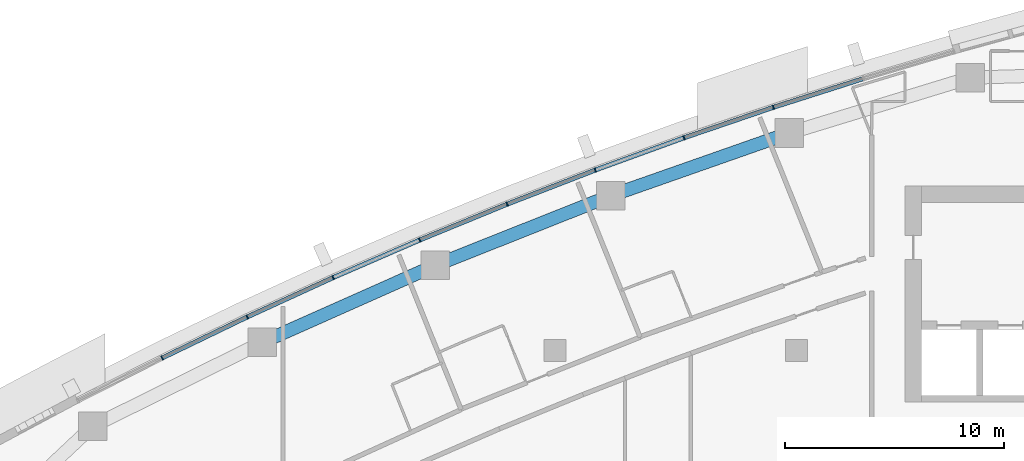
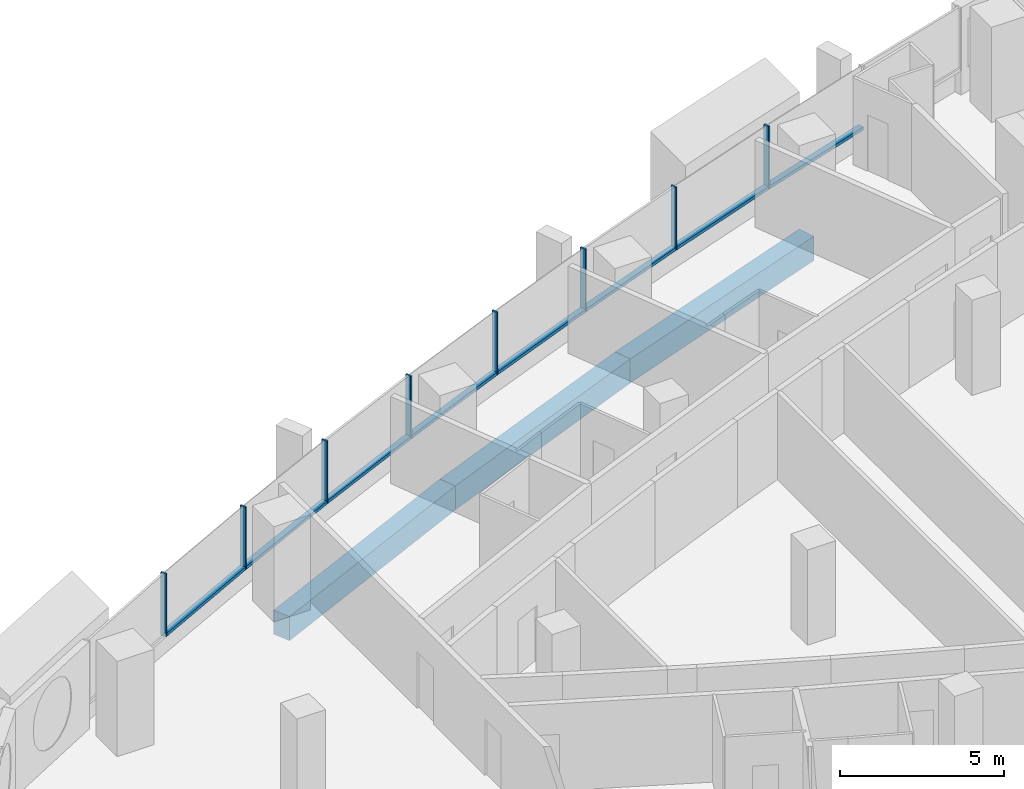
# One storey, part 6 of 17: 16 members, 3 beams, 5 elements without a shape of their own.
"""IFC4 building model written with IfcOpenShell, lengths in metres."""

from ifc_helpers import new_model, si_unit, direction, frame, origin, origin_2d, place, context, subcontext, project, spatial, rectangle, extrude, material, layer, layer_set, material_profile, profile_set, type_object, element, aggregate, save


model = new_model("IFC4")

# Units and contexts
model_context = context("Model", 3, precision=1e-05, world=origin(), true_north=direction((0.0, 1.0)))
body_context = subcontext(model_context, "Body", "Model", "MODEL_VIEW")
ifc_project = project(units=[si_unit("LENGTHUNIT", "METRE"), si_unit("AREAUNIT", "SQUARE_METRE"), si_unit("VOLUMEUNIT", "CUBIC_METRE"), si_unit("PLANEANGLEUNIT", "RADIAN"), si_unit("MASSUNIT", "GRAM", prefix="KILO")], contexts=[model_context])

# Site, building, storey
site_placement = place(None, origin())
site = spatial("IfcSite", under=ifc_project, at=site_placement, CompositionType="ELEMENT")
building_placement = place(site_placement, origin())
building = spatial("IfcBuilding", under=site, at=building_placement, Name="Ostrand Prow Hotel Tower", CompositionType="ELEMENT")
storey_placement = place(building_placement, frame((0.0, 0.0, 196.800048828125)))
storey = spatial("IfcBuildingStorey", under=building, at=storey_placement, Name="L49", CompositionType="ELEMENT", Elevation=196.800048828125)

# Beams
ifc_material_1 = material(Name="Concrete C60/75", Category="concrete")
ifc_material_profile_1 = material_profile(ifc_material_1, rectangle(XDim=0.60009765625, YDim=0.89990234375, at=origin_2d()), Name="RC 600x900")
ifc_profile_set_1 = profile_set([ifc_material_profile_1], Name="Concrete C60/75")
beam_type = type_object("IfcBeamType", Name="Edge beam 600x900 C60/75", PredefinedType="SPANDREL", material=ifc_profile_set_1)
for number, where, z_axis, x_axis, name in (
    (1, (44.6826171875, 18.91552734375, -0.75), (-0.943593618681, -0.33110584831, 0.0), (0.33110584831, -0.943593618681, 0.0), "Edge beam N2-N3"),
    (2, (36.547119140625, 16.060791015625, -0.75), (-0.929376173753, -0.36913402398, 0.0), (0.36913402398, -0.929376173753, 0.0), "Edge beam N3-N4"),
    (3, (28.5341796875, 12.878173828125, -0.75), (-0.91364332073, -0.406516767779, 0.0), (0.406516767779, -0.91364332073, 0.0), "Edge beam N4-N5"),
):
    element("IfcBeam", number, at=place(storey_placement, frame(where, z_axis=z_axis, x_axis=x_axis)), inside=storey, type_object=beam_type, Name=name, PredefinedType="SPANDREL", context=body_context, shape_type="SweptSolid", body=[
        extrude(rectangle(XDim=0.60009765625, YDim=0.89990234375, at=origin_2d()), origin(), (0.0, 0.0, 1.0), 8.621826171875),
    ])

# Curtain wall, member
ifc_material_2 = material(Name="Insulated glass in bronze anodised frame", Category="glass")
ifc_layer = layer(ifc_material_2, 0.199951171875)
ifc_layer_set = layer_set([ifc_layer], Name="Insulated glass in bronze anodised frame")
curtain_wall_type = type_object("IfcCurtainWallType", Name="Strip curtain wall, fritted glass over bronze spandrel", PredefinedType="NOTDEFINED", material=ifc_layer_set)
curtain_wall_1_placement = place(storey_placement, origin())
curtain_wall_1 = element("IfcCurtainWall", 4, at=curtain_wall_1_placement, inside=storey, type_object=curtain_wall_type, Name="CW1 run CWN1", PredefinedType="NOTDEFINED")
ifc_material_3 = material(Name="Bronze anodised aluminium", Category="aluminium")
ifc_material_profile_2 = material_profile(ifc_material_3, rectangle(XDim=0.199951171875, YDim=0.06005859375, at=origin_2d()), Name="Mullion 60x200 bronze anodised aluminium")
ifc_profile_set_2 = profile_set([ifc_material_profile_2], Name="Bronze anodised aluminium")
member_type_1 = type_object("IfcMemberType", Name="Mullion 60x200 bronze anodised aluminium", PredefinedType="MULLION", material=ifc_profile_set_2)
member_1_placement = place(storey_placement, frame((43.95361328125, 20.086669921875, 0.89990234375), z_axis=(0.0, 0.0, 1.0), x_axis=(0.303786970008, -0.952739983864, 0.0)))
member_1 = element("IfcMember", 5, at=member_1_placement, type_object=member_type_1, Name="CW1 mullion 3", PredefinedType="MULLION", context=body_context, shape_type="SweptSolid", body=[
    extrude(rectangle(XDim=0.199951171875, YDim=0.06005859375, at=origin_2d()), origin(), (0.0, 0.0, 1.0), 2.35009765625),
])

# Curtain wall, members
curtain_wall_2_placement = place(storey_placement, origin())
curtain_wall_2 = element("IfcCurtainWall", 6, at=curtain_wall_2_placement, inside=storey, type_object=curtain_wall_type, Name="CW1 run CWN2", PredefinedType="NOTDEFINED")
member_2_placement = place(storey_placement, frame((39.87939453125, 18.696533203125, 0.89990234375), z_axis=(0.0, 0.0, 1.0), x_axis=(0.341897134919, -0.939737383067, 0.0)))
member_2 = element("IfcMember", 7, at=member_2_placement, type_object=member_type_1, Name="CW1 mullion 2", PredefinedType="MULLION", context=body_context, shape_type="SweptSolid", body=[
    extrude(rectangle(XDim=0.199951171875, YDim=0.06005859375, at=origin_2d()), origin(), (0.0, 0.0, 1.0), 2.35009765625),
])
member_3_placement = place(storey_placement, frame((35.833740234375, 17.224609375, 0.89990234375), z_axis=(0.0, 0.0, 1.0), x_axis=(0.341897134919, -0.939737383067, 0.0)))
member_3 = element("IfcMember", 8, at=member_3_placement, type_object=member_type_1, Name="CW1 mullion 3", PredefinedType="MULLION", context=body_context, shape_type="SweptSolid", body=[
    extrude(rectangle(XDim=0.199951171875, YDim=0.06005859375, at=origin_2d()), origin(), (0.0, 0.0, 1.0), 2.35009765625),
])

curtain_wall_3_placement = place(storey_placement, origin())
curtain_wall_3 = element("IfcCurtainWall", 9, at=curtain_wall_3_placement, inside=storey, type_object=curtain_wall_type, Name="CW1 run CWN3", PredefinedType="NOTDEFINED")
member_4_placement = place(storey_placement, frame((31.818603515625, 15.671630859375, 0.89990234375), z_axis=(0.0, 0.0, 1.0), x_axis=(0.379452929936, -0.925211042932, 0.0)))
member_4 = element("IfcMember", 10, at=member_4_placement, type_object=member_type_1, Name="CW1 mullion 2", PredefinedType="MULLION", context=body_context, shape_type="SweptSolid", body=[
    extrude(rectangle(XDim=0.199951171875, YDim=0.06005859375, at=origin_2d()), origin(), (0.0, 0.0, 1.0), 2.35009765625),
])
member_5_placement = place(storey_placement, frame((27.83544921875, 14.0380859375, 0.89990234375), z_axis=(0.0, 0.0, 1.0), x_axis=(0.379452929936, -0.925211042932, 0.0)))
member_5 = element("IfcMember", 11, at=member_5_placement, type_object=member_type_1, Name="CW1 mullion 3", PredefinedType="MULLION", context=body_context, shape_type="SweptSolid", body=[
    extrude(rectangle(XDim=0.199951171875, YDim=0.06005859375, at=origin_2d()), origin(), (0.0, 0.0, 1.0), 2.35009765625),
])

curtain_wall_4_placement = place(storey_placement, origin())
curtain_wall_4 = element("IfcCurtainWall", 12, at=curtain_wall_4_placement, inside=storey, type_object=curtain_wall_type, Name="CW1 run CWN4", PredefinedType="NOTDEFINED")
member_6_placement = place(storey_placement, frame((23.885986328125, 12.32470703125, 0.89990234375), z_axis=(0.0, 0.0, 1.0), x_axis=(0.416393460127, -0.909184517226, 0.0)))
member_6 = element("IfcMember", 13, at=member_6_placement, type_object=member_type_1, Name="CW1 mullion 2", PredefinedType="MULLION", context=body_context, shape_type="SweptSolid", body=[
    extrude(rectangle(XDim=0.199951171875, YDim=0.06005859375, at=origin_2d()), origin(), (0.0, 0.0, 1.0), 2.35009765625),
])
member_7_placement = place(storey_placement, frame((19.971923828125, 10.531982421875, 0.89990234375), z_axis=(0.0, 0.0, 1.0), x_axis=(0.416393460127, -0.909184517226, 0.0)))
member_7 = element("IfcMember", 14, at=member_7_placement, type_object=member_type_1, Name="CW1 mullion 3", PredefinedType="MULLION", context=body_context, shape_type="SweptSolid", body=[
    extrude(rectangle(XDim=0.199951171875, YDim=0.06005859375, at=origin_2d()), origin(), (0.0, 0.0, 1.0), 2.35009765625),
])

# Curtain wall, member
curtain_wall_5_placement = place(storey_placement, origin())
curtain_wall_5 = element("IfcCurtainWall", 15, at=curtain_wall_5_placement, inside=storey, type_object=curtain_wall_type, Name="CW1 run CWN5", PredefinedType="NOTDEFINED")
member_8_placement = place(storey_placement, frame((16.0947265625, 8.660888671875, 0.89990234375), z_axis=(0.0, 0.0, 1.0), x_axis=(0.452658828186, -0.891683792196, 0.0)))
member_8 = element("IfcMember", 16, at=member_8_placement, type_object=member_type_1, Name="CW1 mullion 2", PredefinedType="MULLION", context=body_context, shape_type="SweptSolid", body=[
    extrude(rectangle(XDim=0.199951171875, YDim=0.06005859375, at=origin_2d()), origin(), (0.0, 0.0, 1.0), 2.35009765625),
])

# Member
ifc_material_4 = material(Name="Bronze anodised aluminium", Category="aluminium")
ifc_material_profile_3 = material_profile(ifc_material_4, rectangle(XDim=0.199951171875, YDim=0.1201171875, at=origin_2d()), Name="Transom 120x200 bronze anodised aluminium")
ifc_profile_set_3 = profile_set([ifc_material_profile_3], Name="Bronze anodised aluminium")
member_type_2 = type_object("IfcMemberType", Name="Transom 120x200 bronze anodised aluminium", PredefinedType="USERDEFINED", material=ifc_profile_set_3)
member_9_placement = place(storey_placement, frame((48.026611328125, 21.385498046875, 0.9599609375), z_axis=(-0.952737512605, -0.303794720289, 0.0), x_axis=(0.303794720289, -0.952737512605, 0.0)))
member_9 = element("IfcMember", 17, at=member_9_placement, type_object=member_type_2, Name="CW1 transom 2.1", ObjectType="TRANSOM", PredefinedType="USERDEFINED", context=body_context, shape_type="SweptSolid", body=[
    extrude(rectangle(XDim=0.199951171875, YDim=0.1201171875, at=origin_2d()), origin(), (0.0, 0.0, 1.0), 4.244873046875),
])

aggregate(curtain_wall_1, [member_1, member_9])

member_10_placement = place(storey_placement, frame((43.92529296875, 20.0771484375, 0.9599609375), z_axis=(-0.946422327772, -0.322931536852, 0.0), x_axis=(0.322931536852, -0.946422327772, 0.0)))
member_10 = element("IfcMember", 18, at=member_10_placement, type_object=member_type_2, Name="CW1 transom 1.1", ObjectType="TRANSOM", PredefinedType="USERDEFINED", context=body_context, shape_type="SweptSolid", body=[
    extrude(rectangle(XDim=0.199951171875, YDim=0.1201171875, at=origin_2d()), origin(), (0.0, 0.0, 1.0), 4.2451171875),
])

member_11_placement = place(storey_placement, frame((39.85107421875, 18.686279296875, 0.9599609375), z_axis=(-0.939753116272, -0.341853887584, 0.0), x_axis=(0.341853887584, -0.939753116272, 0.0)))
member_11 = element("IfcMember", 19, at=member_11_placement, type_object=member_type_2, Name="CW1 transom 2.1", ObjectType="TRANSOM", PredefinedType="USERDEFINED", context=body_context, shape_type="SweptSolid", body=[
    extrude(rectangle(XDim=0.199951171875, YDim=0.1201171875, at=origin_2d()), origin(), (0.0, 0.0, 1.0), 4.2451171875),
])

aggregate(curtain_wall_2, [member_2, member_3, member_10, member_11])

member_12_placement = place(storey_placement, frame((35.8056640625, 17.2138671875, 0.9599609375), z_axis=(-0.932675482501, -0.360716570651, 0.0), x_axis=(0.360716570651, -0.932675482501, 0.0)))
member_12 = element("IfcMember", 20, at=member_12_placement, type_object=member_type_2, Name="CW1 transom 1.1", ObjectType="TRANSOM", PredefinedType="USERDEFINED", context=body_context, shape_type="SweptSolid", body=[
    extrude(rectangle(XDim=0.199951171875, YDim=0.1201171875, at=origin_2d()), origin(), (0.0, 0.0, 1.0), 4.2451171875),
])

member_13_placement = place(storey_placement, frame((31.790771484375, 15.660400390625, 0.9599609375), z_axis=(-0.925213143858, -0.379447807258, 0.0), x_axis=(0.379447807258, -0.925213143858, 0.0)))
member_13 = element("IfcMember", 21, at=member_13_placement, type_object=member_type_2, Name="CW1 transom 2.1", ObjectType="TRANSOM", PredefinedType="USERDEFINED", context=body_context, shape_type="SweptSolid", body=[
    extrude(rectangle(XDim=0.199951171875, YDim=0.1201171875, at=origin_2d()), origin(), (0.0, 0.0, 1.0), 4.2451171875),
])

aggregate(curtain_wall_3, [member_4, member_5, member_12, member_13])

member_14_placement = place(storey_placement, frame((27.807861328125, 14.026123046875, 0.9599609375), z_axis=(-0.917389785482, -0.397989926371, 0.0), x_axis=(0.397989926371, -0.917389785482, 0.0)))
member_14 = element("IfcMember", 22, at=member_14_placement, type_object=member_type_2, Name="CW1 transom 1.1", ObjectType="TRANSOM", PredefinedType="USERDEFINED", context=body_context, shape_type="SweptSolid", body=[
    extrude(rectangle(XDim=0.199951171875, YDim=0.1201171875, at=origin_2d()), origin(), (0.0, 0.0, 1.0), 4.244873046875),
])

member_15_placement = place(storey_placement, frame((23.858642578125, 12.312255859375, 0.9599609375), z_axis=(-0.909159196143, -0.416448743628, 0.0), x_axis=(0.416448743628, -0.909159196143, 0.0)))
member_15 = element("IfcMember", 23, at=member_15_placement, type_object=member_type_2, Name="CW1 transom 2.1", ObjectType="TRANSOM", PredefinedType="USERDEFINED", context=body_context, shape_type="SweptSolid", body=[
    extrude(rectangle(XDim=0.199951171875, YDim=0.1201171875, at=origin_2d()), origin(), (0.0, 0.0, 1.0), 4.244873046875),
])

aggregate(curtain_wall_4, [member_6, member_7, member_14, member_15])

member_16_placement = place(storey_placement, frame((19.94482421875, 10.51904296875, 0.9599609375), z_axis=(-0.900619174345, -0.434609137965, 0.0), x_axis=(0.434609137965, -0.900619174345, 0.0)))
member_16 = element("IfcMember", 24, at=member_16_placement, type_object=member_type_2, Name="CW1 transom 1.1", ObjectType="TRANSOM", PredefinedType="USERDEFINED", context=body_context, shape_type="SweptSolid", body=[
    extrude(rectangle(XDim=0.199951171875, YDim=0.1201171875, at=origin_2d()), origin(), (0.0, 0.0, 1.0), 4.2451171875),
])

aggregate(curtain_wall_5, [member_8, member_16])

save(model, "model.ifc")
